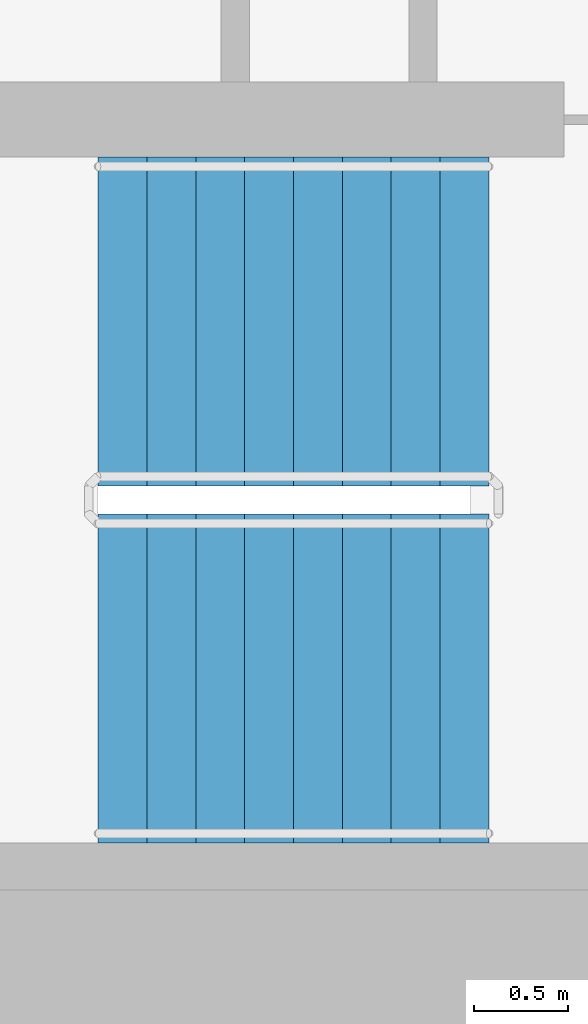
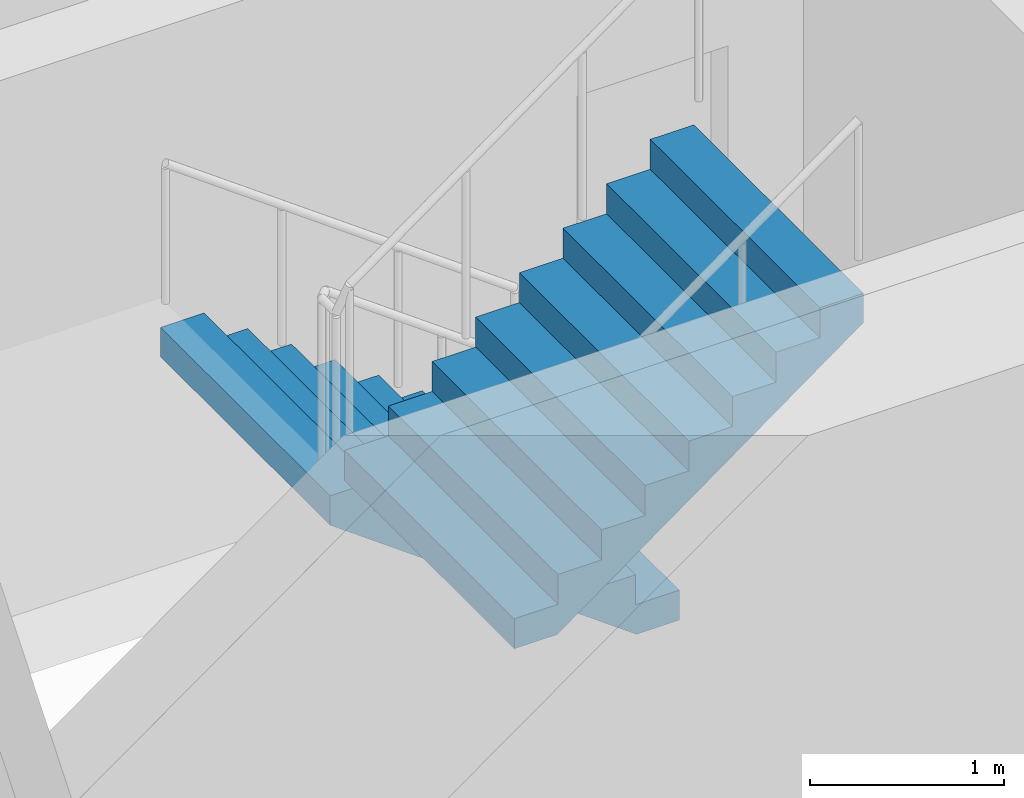
# One storey, part 16 of 22: 2 stair flights, 1 element without a shape of its own.
"""IFC4 building model written with IfcOpenShell, lengths in metres."""

import ifcopenshell
import ifcopenshell.guid

model = None  # the IFC model being written
_history = None  # IfcOwnerHistory: only IFC2X3 demands one
_inside = {}  # id of a spatial element -> (the spatial element, [elements in it])
_under = {}  # id of a project, library or spatial element -> (it, [spatial elements below it])
_declared = {}  # id of a project -> (the project, [libraries it declares])
_typed = {}  # id of a type object -> (the type object, [elements of that type])
_made_of = {}  # id of a material, layer set ... -> (it, [elements and type objects made of it])


def new_model(schema):
    """Start an empty IFC model of exactly this schema.

    Asked for "IFC4X3", IfcOpenShell would pick the latest addendum, in which some entities
    have other attributes; the version numbers below select the first issue.
    IFC2X3 requires an IfcOwnerHistory on every rooted entity: one is made here for all.
    """
    global model, _history
    if schema == "IFC4X3":
        model = ifcopenshell.file(schema_version=(4, 3, 0, 0))
    else:
        model = ifcopenshell.file(schema=schema)
    _inside.clear()
    _under.clear()
    _declared.clear()
    _typed.clear()
    _made_of.clear()
    _history = None
    if model.schema == "IFC2X3":
        org = make("IfcOrganization", Name="unknown")
        user = make(
            "IfcPersonAndOrganization",
            ThePerson=make("IfcPerson", FamilyName="unknown"),
            TheOrganization=org,
        )
        app = make(
            "IfcApplication",
            ApplicationDeveloper=org,
            Version="unknown",
            ApplicationFullName="unknown",
            ApplicationIdentifier="unknown",
        )
        _history = make(
            "IfcOwnerHistory",
            OwningUser=user,
            OwningApplication=app,
            ChangeAction="ADDED",
            CreationDate=0,
        )
    return model


def make(cls, **values):
    """One entity of the class cls with the attributes given. An attribute that is None is left unset."""
    return model.create_entity(
        cls, **{name: value for name, value in values.items() if value is not None}
    )


def rooted(cls, **values):
    """An entity with a GlobalId (a new one), such as an element, a storey or a relation."""
    return make(cls, GlobalId=ifcopenshell.guid.new(), OwnerHistory=_history, **values)


def si_unit(unit_type, name, prefix=None):
    """IfcSIUnit, for example si_unit("LENGTHUNIT", "METRE", prefix="MILLI")."""
    return make("IfcSIUnit", UnitType=unit_type, Prefix=prefix, Name=name)


def assignment(units):
    """IfcUnitAssignment: the units of a project."""
    return None if units is None else make("IfcUnitAssignment", Units=units)


def point(xyz):
    """IfcCartesianPoint."""
    return None if xyz is None else make("IfcCartesianPoint", Coordinates=xyz)


def direction(xyz):
    """IfcDirection."""
    return None if xyz is None else make("IfcDirection", DirectionRatios=xyz)


def frame(location, z_axis=None, x_axis=None):
    """IfcAxis2Placement3D, a coordinate frame: its origin and axes. An axis left out is left unset."""
    return make(
        "IfcAxis2Placement3D",
        Location=point(location),
        Axis=direction(z_axis),
        RefDirection=direction(x_axis),
    )


def origin():
    """The frame at (0, 0, 0) with its axes left unset."""
    return frame((0.0, 0.0, 0.0))


def place(relative_to, where):
    """IfcLocalPlacement: puts the frame where relative to a parent placement (None: the world)."""
    return make(
        "IfcLocalPlacement", PlacementRelTo=relative_to, RelativePlacement=where
    )


def context(
    kind, dimensions, precision=None, world=None, true_north=None, identifier=None
):
    """IfcGeometricRepresentationContext, for example the 3D "Model" context."""
    return make(
        "IfcGeometricRepresentationContext",
        ContextIdentifier=identifier,
        ContextType=kind,
        CoordinateSpaceDimension=dimensions,
        Precision=precision,
        WorldCoordinateSystem=world,
        TrueNorth=true_north,
    )


def subcontext(parent, identifier, kind, view, scale=None):
    """IfcGeometricRepresentationSubContext, for example "Body" below "Model"."""
    return make(
        "IfcGeometricRepresentationSubContext",
        ContextIdentifier=identifier,
        ContextType=kind,
        ParentContext=parent,
        TargetScale=scale,
        TargetView=view,
    )


def project(units=None, contexts=None):
    """IfcProject with its units and contexts."""
    return rooted(
        "IfcProject",
        Name="project",
        RepresentationContexts=contexts,
        UnitsInContext=assignment(units),
    )


def spatial(cls, under=None, at=None, **own):
    """A site, building, storey or space (cls), placed at a placement, below another one or the project."""
    s = rooted(cls, ObjectPlacement=at, **own)
    if under is not None:
        _under.setdefault(under.id(), (under, []))[1].append(s)
    return s


def faces_of(points, faces, orient=None, outer=None):
    """IfcFace entities. A face is a list of loops; a loop is a list of indices into points, from 0.

    orient and outer hold one flag for each loop. By default every Orientation is true, the
    first loop of a face is its IfcFaceOuterBound and the others are IfcFaceBound.
    """
    made = []
    for i, loops in enumerate(faces):
        bounds = []
        for j, loop in enumerate(loops):
            is_outer = j == 0 if outer is None else outer[i][j]
            bounds.append(
                make(
                    "IfcFaceOuterBound" if is_outer else "IfcFaceBound",
                    Bound=make("IfcPolyLoop", Polygon=[points[k] for k in loop]),
                    Orientation=True if orient is None else orient[i][j],
                )
            )
        made.append(make("IfcFace", Bounds=bounds))
    return made


def faceted_brep(points, faces, orient=None, outer=None, voids=None):
    """IfcFacetedBrep: a solid bounded by flat faces; with voids (closed shells), ...WithVoids."""
    shared = [point(p) for p in points]
    hull = make("IfcClosedShell", CfsFaces=faces_of(shared, faces, orient, outer))
    if voids is None:
        return make("IfcFacetedBrep", Outer=hull)
    return make(
        "IfcFacetedBrepWithVoids",
        Outer=hull,
        Voids=[
            make(cls, CfsFaces=faces_of(shared, fs, o, b)) for cls, fs, o, b in voids
        ],
    )


def shape(context_of_items, identifier, shape_type, items):
    """IfcShapeRepresentation: the items that make up one representation, for example the "Body"."""
    return make(
        "IfcShapeRepresentation",
        ContextOfItems=context_of_items,
        RepresentationIdentifier=identifier,
        RepresentationType=shape_type,
        Items=items,
    )


def material(Name=None, Category=None):
    """IfcMaterial."""
    return make("IfcMaterial", Name=Name, Category=Category)


def made_of(thing, what):
    """Note that an element or type object is made of a material, layer set ...; save() writes the relation."""
    if what is not None:
        _made_of.setdefault(what.id(), (what, []))[1].append(thing)
    return thing


def type_object(cls, material=None, **own):
    """A type object (cls), such as IfcWallType, which elements share."""
    return made_of(rooted(cls, **own), material)


def element(
    cls,
    number,
    at=None,
    inside=None,
    cuts=None,
    type_object=None,
    material=None,
    context=None,
    identifier="Body",
    shape_type=None,
    held_by="IfcProductDefinitionShape",
    body=None,
    shapes=None,
    **own,
):
    """One element of the class cls, such as IfcWall. Its Tag is "e" and its number.

    at: its placement. inside: the storey or other place that contains it. cuts: it is an
    opening in that element (IfcRelVoidsElement). A single representation is given by context,
    identifier, shape_type and body (its items); several are given by shapes. held_by: the class
    of the entity that holds the representations. save() writes the other relations.
    """
    e = rooted(cls, Tag="e%d" % number, ObjectPlacement=at, **own)
    if body is not None:
        shapes = [shape(context, identifier, shape_type, body)]
    if shapes is not None:
        e.Representation = make(held_by, Representations=shapes)
    if inside is not None:
        _inside.setdefault(inside.id(), (inside, []))[1].append(e)
    if cuts is not None:
        rooted(
            "IfcRelVoidsElement", RelatingBuildingElement=cuts, RelatedOpeningElement=e
        )
    if type_object is not None:
        _typed.setdefault(type_object.id(), (type_object, []))[1].append(e)
    return made_of(e, material)


def aggregate(whole, parts):
    """IfcRelAggregates: a whole, such as a stair, and the parts it consists of."""
    return rooted("IfcRelAggregates", RelatingObject=whole, RelatedObjects=parts)


def save(model, path):
    """Write the relations noted so far, then the file.

    IfcRelAggregates (storeys below a building ...), IfcRelContainedInSpatialStructure (elements
    in a storey), IfcRelDefinesByType, IfcRelAssociatesMaterial and IfcRelDeclares: one each for
    every whole, place, type object, material and project.
    """
    for whole, parts in _under.values():
        aggregate(whole, parts)
    for where, things in _inside.values():
        rooted(
            "IfcRelContainedInSpatialStructure",
            RelatedElements=things,
            RelatingStructure=where,
        )
    for kind, things in _typed.values():
        rooted("IfcRelDefinesByType", RelatedObjects=things, RelatingType=kind)
    for what, things in _made_of.values():
        rooted("IfcRelAssociatesMaterial", RelatedObjects=things, RelatingMaterial=what)
    for by, libraries in _declared.values():
        rooted("IfcRelDeclares", RelatingContext=by, RelatedDefinitions=libraries)
    model.write(path)


model = new_model("IFC4")

# Units and contexts
model_context = context("Model", 3, precision=1e-05, world=origin(), true_north=direction((0.0, 1.0)))
body_context = subcontext(model_context, "Body", "Model", "MODEL_VIEW")
ifc_project = project(units=[si_unit("LENGTHUNIT", "METRE"), si_unit("AREAUNIT", "SQUARE_METRE"), si_unit("VOLUMEUNIT", "CUBIC_METRE"), si_unit("PLANEANGLEUNIT", "RADIAN"), si_unit("MASSUNIT", "GRAM", prefix="KILO")], contexts=[model_context])

# Site, building, storey
site_placement = place(None, origin())
site = spatial("IfcSite", under=ifc_project, at=site_placement, CompositionType="ELEMENT")
building_placement = place(site_placement, origin())
building = spatial("IfcBuilding", under=site, at=building_placement, Name="Ipe Terrace Towers", CompositionType="ELEMENT")
storey_placement = place(building_placement, frame((0.0, 0.0, 110.60009765625)))
storey = spatial("IfcBuildingStorey", under=building, at=storey_placement, Name="L30", CompositionType="ELEMENT", Elevation=110.60009765625)

# Stair, stair flights
ifc_material_1 = material(Name="Concrete C30/37", Category="concrete")
stair_type = type_object("IfcStairType", Name="Protected exit stair", PredefinedType="HALF_TURN_STAIR", material=ifc_material_1)
stair_placement = place(storey_placement, origin())
stair = element("IfcStair", 1, at=stair_placement, inside=storey, type_object=stair_type, Name="L30 Exit stair T1-C2", PredefinedType="HALF_TURN_STAIR")
ifc_material_2 = material(Name="Concrete C30/37", Category="concrete")
stair_flight_type = type_object("IfcStairFlightType", Name="Exit stair flight 1750", PredefinedType="STRAIGHT", material=ifc_material_2)
stair_flight_1_placement = place(storey_placement, frame((-45.699951171875, -2.77490234375, 0.0), z_axis=(0.0, 0.0, 1.0), x_axis=(-1.0, 0.0, 0.0)))
stair_flight_1 = element("IfcStairFlight", 2, at=stair_flight_1_placement, type_object=stair_flight_type, Name="T1-ST2 flight 1", NumberOfRisers=9, NumberOfTreads=8, PredefinedType="STRAIGHT", RiserHeight=0.188888889, TreadLength=0.26, context=body_context, shape_type="Brep", body=[
    faceted_brep([(0.255126953125, -0.875, 0.0), (2.080078125, -0.875, 1.325927734375), (2.080078125, -0.875, 1.51123046875), (1.820068359375, -0.875, 1.51123046875), (1.820068359375, -0.875, 1.322265625), (1.56005859375, -0.875, 1.322265625), (1.56005859375, -0.875, 1.13330078125), (1.300048828125, -0.875, 1.13330078125), (1.300048828125, -0.875, 0.9443359375), (1.0400390625, -0.875, 0.9443359375), (1.0400390625, -0.875, 0.755615234375), (0.780029296875, -0.875, 0.755615234375), (0.780029296875, -0.875, 0.566650390625), (0.52001953125, -0.875, 0.566650390625), (0.52001953125, -0.875, 0.377685546875), (0.260009765625, -0.875, 0.377685546875), (0.260009765625, -0.875, 0.18896484375), (0.0, -0.875, 0.18896484375), (0.0, -0.875, 0.0), (0.0, 0.875, 0.0), (0.0, 0.875, 0.18896484375), (0.260009765625, 0.875, 0.18896484375), (0.260009765625, 0.875, 0.377685546875), (0.52001953125, 0.875, 0.377685546875), (0.52001953125, 0.875, 0.566650390625), (0.780029296875, 0.875, 0.566650390625), (0.780029296875, 0.875, 0.755615234375), (1.0400390625, 0.875, 0.755615234375), (1.0400390625, 0.875, 0.9443359375), (1.300048828125, 0.875, 0.9443359375), (1.300048828125, 0.875, 1.13330078125), (1.56005859375, 0.875, 1.13330078125), (1.56005859375, 0.875, 1.322265625), (1.820068359375, 0.875, 1.322265625), (1.820068359375, 0.875, 1.51123046875), (2.080078125, 0.875, 1.51123046875), (2.080078125, 0.875, 1.325927734375), (0.255126953125, 0.875, 0.0), (0.0, -0.300048828125, 0.18896484375), (0.0, -0.1201171875, 0.18896484375), (0.0, -0.06005859375, 0.18896484375), (0.0, -0.030029296875, 0.18896484375), (0.0, -0.010009765625, 0.18896484375), (0.0, 0.0, 0.18896484375), (0.0, 0.010009765625, 0.18896484375), (0.0, 0.030029296875, 0.18896484375), (0.0, 0.06005859375, 0.18896484375), (0.0, 0.1201171875, 0.18896484375), (0.0, 0.300048828125, 0.18896484375), (0.0, 0.300048828125, 0.0), (0.0, 0.1201171875, 0.0), (0.0, 0.06005859375, 0.0), (0.0, 0.030029296875, 0.0), (0.0, 0.010009765625, 0.0), (0.0, 0.0, 0.0), (0.0, -0.010009765625, 0.0), (0.0, -0.030029296875, 0.0), (0.0, -0.06005859375, 0.0), (0.0, -0.1201171875, 0.0), (0.0, -0.300048828125, 0.0), (0.260009765625, -0.300048828125, 0.18896484375), (0.260009765625, -0.1201171875, 0.18896484375), (0.260009765625, -0.06005859375, 0.18896484375), (0.260009765625, -0.030029296875, 0.18896484375), (0.260009765625, -0.010009765625, 0.18896484375), (0.260009765625, 0.0, 0.18896484375), (0.260009765625, 0.010009765625, 0.18896484375), (0.260009765625, 0.030029296875, 0.18896484375), (0.260009765625, 0.06005859375, 0.18896484375), (0.260009765625, 0.1201171875, 0.18896484375), (0.260009765625, 0.300048828125, 0.18896484375), (0.260009765625, -0.300048828125, 0.377685546875), (0.260009765625, -0.1201171875, 0.377685546875), (0.260009765625, -0.06005859375, 0.377685546875), (0.260009765625, -0.030029296875, 0.377685546875), (0.260009765625, -0.010009765625, 0.377685546875), (0.260009765625, 0.0, 0.377685546875), (0.260009765625, 0.010009765625, 0.377685546875), (0.260009765625, 0.030029296875, 0.377685546875), (0.260009765625, 0.06005859375, 0.377685546875), (0.260009765625, 0.1201171875, 0.377685546875), (0.260009765625, 0.300048828125, 0.377685546875), (0.52001953125, -0.300048828125, 0.377685546875), (0.52001953125, -0.1201171875, 0.377685546875), (0.52001953125, -0.06005859375, 0.377685546875), (0.52001953125, -0.030029296875, 0.377685546875), (0.52001953125, -0.010009765625, 0.377685546875), (0.52001953125, 0.0, 0.377685546875), (0.52001953125, 0.010009765625, 0.377685546875), (0.52001953125, 0.030029296875, 0.377685546875), (0.52001953125, 0.06005859375, 0.377685546875), (0.52001953125, 0.1201171875, 0.377685546875), (0.52001953125, 0.300048828125, 0.377685546875), (0.52001953125, -0.300048828125, 0.566650390625), (0.52001953125, -0.1201171875, 0.566650390625), (0.52001953125, -0.06005859375, 0.566650390625), (0.52001953125, -0.030029296875, 0.566650390625), (0.52001953125, -0.010009765625, 0.566650390625), (0.52001953125, 0.0, 0.566650390625), (0.52001953125, 0.010009765625, 0.566650390625), (0.52001953125, 0.030029296875, 0.566650390625), (0.52001953125, 0.06005859375, 0.566650390625), (0.52001953125, 0.1201171875, 0.566650390625), (0.52001953125, 0.300048828125, 0.566650390625), (0.780029296875, -0.300048828125, 0.566650390625), (0.780029296875, -0.1201171875, 0.566650390625), (0.780029296875, -0.06005859375, 0.566650390625), (0.780029296875, -0.030029296875, 0.566650390625), (0.780029296875, -0.010009765625, 0.566650390625), (0.780029296875, 0.0, 0.566650390625), (0.780029296875, 0.010009765625, 0.566650390625), (0.780029296875, 0.030029296875, 0.566650390625), (0.780029296875, 0.06005859375, 0.566650390625), (0.780029296875, 0.1201171875, 0.566650390625), (0.780029296875, 0.300048828125, 0.566650390625), (0.780029296875, -0.300048828125, 0.755615234375), (0.780029296875, -0.1201171875, 0.755615234375), (0.780029296875, -0.06005859375, 0.755615234375), (0.780029296875, -0.030029296875, 0.755615234375), (0.780029296875, -0.010009765625, 0.755615234375), (0.780029296875, 0.0, 0.755615234375), (0.780029296875, 0.010009765625, 0.755615234375), (0.780029296875, 0.030029296875, 0.755615234375), (0.780029296875, 0.06005859375, 0.755615234375), (0.780029296875, 0.1201171875, 0.755615234375), (0.780029296875, 0.300048828125, 0.755615234375), (1.0400390625, -0.300048828125, 0.755615234375), (1.0400390625, -0.1201171875, 0.755615234375), (1.0400390625, -0.06005859375, 0.755615234375), (1.0400390625, -0.030029296875, 0.755615234375), (1.0400390625, -0.010009765625, 0.755615234375), (1.0400390625, 0.0, 0.755615234375), (1.0400390625, 0.010009765625, 0.755615234375), (1.0400390625, 0.030029296875, 0.755615234375), (1.0400390625, 0.06005859375, 0.755615234375), (1.0400390625, 0.1201171875, 0.755615234375), (1.0400390625, 0.300048828125, 0.755615234375), (1.0400390625, -0.300048828125, 0.9443359375), (1.0400390625, -0.1201171875, 0.9443359375), (1.0400390625, -0.06005859375, 0.9443359375), (1.0400390625, -0.030029296875, 0.9443359375), (1.0400390625, -0.010009765625, 0.9443359375), (1.0400390625, 0.0, 0.9443359375), (1.0400390625, 0.010009765625, 0.9443359375), (1.0400390625, 0.030029296875, 0.9443359375), (1.0400390625, 0.06005859375, 0.9443359375), (1.0400390625, 0.1201171875, 0.9443359375), (1.0400390625, 0.300048828125, 0.9443359375), (1.300048828125, -0.300048828125, 0.9443359375), (1.300048828125, -0.1201171875, 0.9443359375), (1.300048828125, -0.06005859375, 0.9443359375), (1.300048828125, -0.030029296875, 0.9443359375), (1.300048828125, -0.010009765625, 0.9443359375), (1.300048828125, 0.0, 0.9443359375), (1.300048828125, 0.010009765625, 0.9443359375), (1.300048828125, 0.030029296875, 0.9443359375), (1.300048828125, 0.06005859375, 0.9443359375), (1.300048828125, 0.1201171875, 0.9443359375), (1.300048828125, 0.300048828125, 0.9443359375), (1.300048828125, -0.300048828125, 1.13330078125), (1.300048828125, -0.1201171875, 1.13330078125), (1.300048828125, -0.06005859375, 1.13330078125), (1.300048828125, -0.030029296875, 1.13330078125), (1.300048828125, -0.010009765625, 1.13330078125), (1.300048828125, 0.0, 1.13330078125), (1.300048828125, 0.010009765625, 1.13330078125), (1.300048828125, 0.030029296875, 1.13330078125), (1.300048828125, 0.06005859375, 1.13330078125), (1.300048828125, 0.1201171875, 1.13330078125), (1.300048828125, 0.300048828125, 1.13330078125), (1.56005859375, -0.300048828125, 1.13330078125), (1.56005859375, -0.1201171875, 1.13330078125), (1.56005859375, -0.06005859375, 1.13330078125), (1.56005859375, -0.030029296875, 1.13330078125), (1.56005859375, -0.010009765625, 1.13330078125), (1.56005859375, 0.0, 1.13330078125), (1.56005859375, 0.010009765625, 1.13330078125), (1.56005859375, 0.030029296875, 1.13330078125), (1.56005859375, 0.06005859375, 1.13330078125), (1.56005859375, 0.1201171875, 1.13330078125), (1.56005859375, 0.300048828125, 1.13330078125), (1.56005859375, -0.300048828125, 1.322265625), (1.56005859375, -0.1201171875, 1.322265625), (1.56005859375, -0.06005859375, 1.322265625), (1.56005859375, -0.030029296875, 1.322265625), (1.56005859375, -0.010009765625, 1.322265625), (1.56005859375, 0.0, 1.322265625), (1.56005859375, 0.010009765625, 1.322265625), (1.56005859375, 0.030029296875, 1.322265625), (1.56005859375, 0.06005859375, 1.322265625), (1.56005859375, 0.1201171875, 1.322265625), (1.56005859375, 0.300048828125, 1.322265625), (1.820068359375, -0.300048828125, 1.322265625), (1.820068359375, -0.1201171875, 1.322265625), (1.820068359375, -0.06005859375, 1.322265625), (1.820068359375, -0.030029296875, 1.322265625), (1.820068359375, -0.010009765625, 1.322265625), (1.820068359375, 0.0, 1.322265625), (1.820068359375, 0.010009765625, 1.322265625), (1.820068359375, 0.030029296875, 1.322265625), (1.820068359375, 0.06005859375, 1.322265625), (1.820068359375, 0.1201171875, 1.322265625), (1.820068359375, 0.300048828125, 1.322265625), (1.820068359375, -0.300048828125, 1.51123046875), (1.820068359375, -0.1201171875, 1.51123046875), (1.820068359375, -0.06005859375, 1.51123046875), (1.820068359375, -0.030029296875, 1.51123046875), (1.820068359375, -0.010009765625, 1.51123046875), (1.820068359375, 0.0, 1.51123046875), (1.820068359375, 0.010009765625, 1.51123046875), (1.820068359375, 0.030029296875, 1.51123046875), (1.820068359375, 0.06005859375, 1.51123046875), (1.820068359375, 0.1201171875, 1.51123046875), (1.820068359375, 0.300048828125, 1.51123046875), (2.080078125, -0.300048828125, 1.51123046875), (2.080078125, -0.1201171875, 1.51123046875), (2.080078125, -0.06005859375, 1.51123046875), (2.080078125, -0.030029296875, 1.51123046875), (2.080078125, -0.010009765625, 1.51123046875), (2.080078125, 0.0, 1.51123046875), (2.080078125, 0.010009765625, 1.51123046875), (2.080078125, 0.030029296875, 1.51123046875), (2.080078125, 0.06005859375, 1.51123046875), (2.080078125, 0.1201171875, 1.51123046875), (2.080078125, 0.300048828125, 1.51123046875), (2.080078125, -0.300048828125, 1.325927734375), (2.080078125, -0.1201171875, 1.325927734375), (2.080078125, -0.06005859375, 1.325927734375), (2.080078125, -0.030029296875, 1.325927734375), (2.080078125, -0.010009765625, 1.325927734375), (2.080078125, 0.0, 1.325927734375), (2.080078125, 0.010009765625, 1.325927734375), (2.080078125, 0.030029296875, 1.325927734375), (2.080078125, 0.06005859375, 1.325927734375), (2.080078125, 0.1201171875, 1.325927734375), (2.080078125, 0.300048828125, 1.325927734375), (0.255126953125, -0.300048828125, 0.0), (0.255126953125, -0.1201171875, 0.0), (0.255126953125, -0.06005859375, 0.0), (0.255126953125, -0.030029296875, 0.0), (0.255126953125, -0.010009765625, 0.0), (0.255126953125, 0.0, 0.0), (0.255126953125, 0.010009765625, 0.0), (0.255126953125, 0.030029296875, 0.0), (0.255126953125, 0.06005859375, 0.0), (0.255126953125, 0.1201171875, 0.0), (0.255126953125, 0.300048828125, 0.0)], [[[0, 1, 2, 3, 4, 5, 6, 7, 8, 9, 10, 11, 12, 13, 14, 15, 16, 17, 18]], [[19, 20, 21, 22, 23, 24, 25, 26, 27, 28, 29, 30, 31, 32, 33, 34, 35, 36, 37]], [[17, 38, 39, 40, 41, 42, 43, 44, 45, 46, 47, 48, 20, 19, 49, 50, 51, 52, 53, 54, 55, 56, 57, 58, 59, 18]], [[16, 60, 61, 62, 63, 64, 65, 66, 67, 68, 69, 70, 21, 20, 48, 47, 46, 45, 44, 43, 42, 41, 40, 39, 38, 17]], [[15, 71, 72, 73, 74, 75, 76, 77, 78, 79, 80, 81, 22, 21, 70, 69, 68, 67, 66, 65, 64, 63, 62, 61, 60, 16]], [[14, 82, 83, 84, 85, 86, 87, 88, 89, 90, 91, 92, 23, 22, 81, 80, 79, 78, 77, 76, 75, 74, 73, 72, 71, 15]], [[13, 93, 94, 95, 96, 97, 98, 99, 100, 101, 102, 103, 24, 23, 92, 91, 90, 89, 88, 87, 86, 85, 84, 83, 82, 14]], [[12, 104, 105, 106, 107, 108, 109, 110, 111, 112, 113, 114, 25, 24, 103, 102, 101, 100, 99, 98, 97, 96, 95, 94, 93, 13]], [[11, 115, 116, 117, 118, 119, 120, 121, 122, 123, 124, 125, 26, 25, 114, 113, 112, 111, 110, 109, 108, 107, 106, 105, 104, 12]], [[10, 126, 127, 128, 129, 130, 131, 132, 133, 134, 135, 136, 27, 26, 125, 124, 123, 122, 121, 120, 119, 118, 117, 116, 115, 11]], [[9, 137, 138, 139, 140, 141, 142, 143, 144, 145, 146, 147, 28, 27, 136, 135, 134, 133, 132, 131, 130, 129, 128, 127, 126, 10]], [[8, 148, 149, 150, 151, 152, 153, 154, 155, 156, 157, 158, 29, 28, 147, 146, 145, 144, 143, 142, 141, 140, 139, 138, 137, 9]], [[7, 159, 160, 161, 162, 163, 164, 165, 166, 167, 168, 169, 30, 29, 158, 157, 156, 155, 154, 153, 152, 151, 150, 149, 148, 8]], [[6, 170, 171, 172, 173, 174, 175, 176, 177, 178, 179, 180, 31, 30, 169, 168, 167, 166, 165, 164, 163, 162, 161, 160, 159, 7]], [[5, 181, 182, 183, 184, 185, 186, 187, 188, 189, 190, 191, 32, 31, 180, 179, 178, 177, 176, 175, 174, 173, 172, 171, 170, 6]], [[4, 192, 193, 194, 195, 196, 197, 198, 199, 200, 201, 202, 33, 32, 191, 190, 189, 188, 187, 186, 185, 184, 183, 182, 181, 5]], [[3, 203, 204, 205, 206, 207, 208, 209, 210, 211, 212, 213, 34, 33, 202, 201, 200, 199, 198, 197, 196, 195, 194, 193, 192, 4]], [[2, 214, 215, 216, 217, 218, 219, 220, 221, 222, 223, 224, 35, 34, 213, 212, 211, 210, 209, 208, 207, 206, 205, 204, 203, 3]], [[1, 225, 226, 227, 228, 229, 230, 231, 232, 233, 234, 235, 36, 35, 224, 223, 222, 221, 220, 219, 218, 217, 216, 215, 214, 2]], [[0, 236, 237, 238, 239, 240, 241, 242, 243, 244, 245, 246, 37, 36, 235, 234, 233, 232, 231, 230, 229, 228, 227, 226, 225, 1]], [[18, 59, 58, 57, 56, 55, 54, 53, 52, 51, 50, 49, 19, 37, 246, 245, 244, 243, 242, 241, 240, 239, 238, 237, 236, 0]]]),
])
stair_flight_2_placement = place(storey_placement, frame((-47.780029296875, -4.675048828125, 1.699951171875), z_axis=(0.0, 0.0, 1.0), x_axis=(1.0, 0.0, 0.0)))
stair_flight_2 = element("IfcStairFlight", 3, at=stair_flight_2_placement, type_object=stair_flight_type, Name="T1-ST2 flight 2", NumberOfRisers=9, NumberOfTreads=8, PredefinedType="STRAIGHT", RiserHeight=0.188888889, TreadLength=0.26, context=body_context, shape_type="Brep", body=[
    faceted_brep([(0.255126953125, -0.875, 0.0), (2.080078125, -0.875, 1.325927734375), (2.080078125, -0.875, 1.51123046875), (1.820068359375, -0.875, 1.51123046875), (1.820068359375, -0.875, 1.322265625), (1.56005859375, -0.875, 1.322265625), (1.56005859375, -0.875, 1.13330078125), (1.300048828125, -0.875, 1.13330078125), (1.300048828125, -0.875, 0.9443359375), (1.0400390625, -0.875, 0.9443359375), (1.0400390625, -0.875, 0.755615234375), (0.780029296875, -0.875, 0.755615234375), (0.780029296875, -0.875, 0.566650390625), (0.52001953125, -0.875, 0.566650390625), (0.52001953125, -0.875, 0.377685546875), (0.260009765625, -0.875, 0.377685546875), (0.260009765625, -0.875, 0.18896484375), (0.0, -0.875, 0.18896484375), (0.0, -0.875, 0.0), (0.0, 0.875, 0.0), (0.0, 0.875, 0.18896484375), (0.260009765625, 0.875, 0.18896484375), (0.260009765625, 0.875, 0.377685546875), (0.52001953125, 0.875, 0.377685546875), (0.52001953125, 0.875, 0.566650390625), (0.780029296875, 0.875, 0.566650390625), (0.780029296875, 0.875, 0.755615234375), (1.0400390625, 0.875, 0.755615234375), (1.0400390625, 0.875, 0.9443359375), (1.300048828125, 0.875, 0.9443359375), (1.300048828125, 0.875, 1.13330078125), (1.56005859375, 0.875, 1.13330078125), (1.56005859375, 0.875, 1.322265625), (1.820068359375, 0.875, 1.322265625), (1.820068359375, 0.875, 1.51123046875), (2.080078125, 0.875, 1.51123046875), (2.080078125, 0.875, 1.325927734375), (0.255126953125, 0.875, 0.0), (0.0, -0.300048828125, 0.18896484375), (0.0, -0.1201171875, 0.18896484375), (0.0, -0.06005859375, 0.18896484375), (0.0, -0.030029296875, 0.18896484375), (0.0, -0.010009765625, 0.18896484375), (0.0, 0.0, 0.18896484375), (0.0, 0.010009765625, 0.18896484375), (0.0, 0.030029296875, 0.18896484375), (0.0, 0.06005859375, 0.18896484375), (0.0, 0.1201171875, 0.18896484375), (0.0, 0.300048828125, 0.18896484375), (0.0, 0.300048828125, 0.0), (0.0, 0.1201171875, 0.0), (0.0, 0.06005859375, 0.0), (0.0, 0.030029296875, 0.0), (0.0, 0.010009765625, 0.0), (0.0, 0.0, 0.0), (0.0, -0.010009765625, 0.0), (0.0, -0.030029296875, 0.0), (0.0, -0.06005859375, 0.0), (0.0, -0.1201171875, 0.0), (0.0, -0.300048828125, 0.0), (0.260009765625, -0.300048828125, 0.18896484375), (0.260009765625, -0.1201171875, 0.18896484375), (0.260009765625, -0.06005859375, 0.18896484375), (0.260009765625, -0.030029296875, 0.18896484375), (0.260009765625, -0.010009765625, 0.18896484375), (0.260009765625, 0.0, 0.18896484375), (0.260009765625, 0.010009765625, 0.18896484375), (0.260009765625, 0.030029296875, 0.18896484375), (0.260009765625, 0.06005859375, 0.18896484375), (0.260009765625, 0.1201171875, 0.18896484375), (0.260009765625, 0.300048828125, 0.18896484375), (0.260009765625, -0.300048828125, 0.377685546875), (0.260009765625, -0.1201171875, 0.377685546875), (0.260009765625, -0.06005859375, 0.377685546875), (0.260009765625, -0.030029296875, 0.377685546875), (0.260009765625, -0.010009765625, 0.377685546875), (0.260009765625, 0.0, 0.377685546875), (0.260009765625, 0.010009765625, 0.377685546875), (0.260009765625, 0.030029296875, 0.377685546875), (0.260009765625, 0.06005859375, 0.377685546875), (0.260009765625, 0.1201171875, 0.377685546875), (0.260009765625, 0.300048828125, 0.377685546875), (0.52001953125, -0.300048828125, 0.377685546875), (0.52001953125, -0.1201171875, 0.377685546875), (0.52001953125, -0.06005859375, 0.377685546875), (0.52001953125, -0.030029296875, 0.377685546875), (0.52001953125, -0.010009765625, 0.377685546875), (0.52001953125, 0.0, 0.377685546875), (0.52001953125, 0.010009765625, 0.377685546875), (0.52001953125, 0.030029296875, 0.377685546875), (0.52001953125, 0.06005859375, 0.377685546875), (0.52001953125, 0.1201171875, 0.377685546875), (0.52001953125, 0.300048828125, 0.377685546875), (0.52001953125, -0.300048828125, 0.566650390625), (0.52001953125, -0.1201171875, 0.566650390625), (0.52001953125, -0.06005859375, 0.566650390625), (0.52001953125, -0.030029296875, 0.566650390625), (0.52001953125, -0.010009765625, 0.566650390625), (0.52001953125, 0.0, 0.566650390625), (0.52001953125, 0.010009765625, 0.566650390625), (0.52001953125, 0.030029296875, 0.566650390625), (0.52001953125, 0.06005859375, 0.566650390625), (0.52001953125, 0.1201171875, 0.566650390625), (0.52001953125, 0.300048828125, 0.566650390625), (0.780029296875, -0.300048828125, 0.566650390625), (0.780029296875, -0.1201171875, 0.566650390625), (0.780029296875, -0.06005859375, 0.566650390625), (0.780029296875, -0.030029296875, 0.566650390625), (0.780029296875, -0.010009765625, 0.566650390625), (0.780029296875, 0.0, 0.566650390625), (0.780029296875, 0.010009765625, 0.566650390625), (0.780029296875, 0.030029296875, 0.566650390625), (0.780029296875, 0.06005859375, 0.566650390625), (0.780029296875, 0.1201171875, 0.566650390625), (0.780029296875, 0.300048828125, 0.566650390625), (0.780029296875, -0.300048828125, 0.755615234375), (0.780029296875, -0.1201171875, 0.755615234375), (0.780029296875, -0.06005859375, 0.755615234375), (0.780029296875, -0.030029296875, 0.755615234375), (0.780029296875, -0.010009765625, 0.755615234375), (0.780029296875, 0.0, 0.755615234375), (0.780029296875, 0.010009765625, 0.755615234375), (0.780029296875, 0.030029296875, 0.755615234375), (0.780029296875, 0.06005859375, 0.755615234375), (0.780029296875, 0.1201171875, 0.755615234375), (0.780029296875, 0.300048828125, 0.755615234375), (1.0400390625, -0.300048828125, 0.755615234375), (1.0400390625, -0.1201171875, 0.755615234375), (1.0400390625, -0.06005859375, 0.755615234375), (1.0400390625, -0.030029296875, 0.755615234375), (1.0400390625, -0.010009765625, 0.755615234375), (1.0400390625, 0.0, 0.755615234375), (1.0400390625, 0.010009765625, 0.755615234375), (1.0400390625, 0.030029296875, 0.755615234375), (1.0400390625, 0.06005859375, 0.755615234375), (1.0400390625, 0.1201171875, 0.755615234375), (1.0400390625, 0.300048828125, 0.755615234375), (1.0400390625, -0.300048828125, 0.9443359375), (1.0400390625, -0.1201171875, 0.9443359375), (1.0400390625, -0.06005859375, 0.9443359375), (1.0400390625, -0.030029296875, 0.9443359375), (1.0400390625, -0.010009765625, 0.9443359375), (1.0400390625, 0.0, 0.9443359375), (1.0400390625, 0.010009765625, 0.9443359375), (1.0400390625, 0.030029296875, 0.9443359375), (1.0400390625, 0.06005859375, 0.9443359375), (1.0400390625, 0.1201171875, 0.9443359375), (1.0400390625, 0.300048828125, 0.9443359375), (1.300048828125, -0.300048828125, 0.9443359375), (1.300048828125, -0.1201171875, 0.9443359375), (1.300048828125, -0.06005859375, 0.9443359375), (1.300048828125, -0.030029296875, 0.9443359375), (1.300048828125, -0.010009765625, 0.9443359375), (1.300048828125, 0.0, 0.9443359375), (1.300048828125, 0.010009765625, 0.9443359375), (1.300048828125, 0.030029296875, 0.9443359375), (1.300048828125, 0.06005859375, 0.9443359375), (1.300048828125, 0.1201171875, 0.9443359375), (1.300048828125, 0.300048828125, 0.9443359375), (1.300048828125, -0.300048828125, 1.13330078125), (1.300048828125, -0.1201171875, 1.13330078125), (1.300048828125, -0.06005859375, 1.13330078125), (1.300048828125, -0.030029296875, 1.13330078125), (1.300048828125, -0.010009765625, 1.13330078125), (1.300048828125, 0.0, 1.13330078125), (1.300048828125, 0.010009765625, 1.13330078125), (1.300048828125, 0.030029296875, 1.13330078125), (1.300048828125, 0.06005859375, 1.13330078125), (1.300048828125, 0.1201171875, 1.13330078125), (1.300048828125, 0.300048828125, 1.13330078125), (1.56005859375, -0.300048828125, 1.13330078125), (1.56005859375, -0.1201171875, 1.13330078125), (1.56005859375, -0.06005859375, 1.13330078125), (1.56005859375, -0.030029296875, 1.13330078125), (1.56005859375, -0.010009765625, 1.13330078125), (1.56005859375, 0.0, 1.13330078125), (1.56005859375, 0.010009765625, 1.13330078125), (1.56005859375, 0.030029296875, 1.13330078125), (1.56005859375, 0.06005859375, 1.13330078125), (1.56005859375, 0.1201171875, 1.13330078125), (1.56005859375, 0.300048828125, 1.13330078125), (1.56005859375, -0.300048828125, 1.322265625), (1.56005859375, -0.1201171875, 1.322265625), (1.56005859375, -0.06005859375, 1.322265625), (1.56005859375, -0.030029296875, 1.322265625), (1.56005859375, -0.010009765625, 1.322265625), (1.56005859375, 0.0, 1.322265625), (1.56005859375, 0.010009765625, 1.322265625), (1.56005859375, 0.030029296875, 1.322265625), (1.56005859375, 0.06005859375, 1.322265625), (1.56005859375, 0.1201171875, 1.322265625), (1.56005859375, 0.300048828125, 1.322265625), (1.820068359375, -0.300048828125, 1.322265625), (1.820068359375, -0.1201171875, 1.322265625), (1.820068359375, -0.06005859375, 1.322265625), (1.820068359375, -0.030029296875, 1.322265625), (1.820068359375, -0.010009765625, 1.322265625), (1.820068359375, 0.0, 1.322265625), (1.820068359375, 0.010009765625, 1.322265625), (1.820068359375, 0.030029296875, 1.322265625), (1.820068359375, 0.06005859375, 1.322265625), (1.820068359375, 0.1201171875, 1.322265625), (1.820068359375, 0.300048828125, 1.322265625), (1.820068359375, -0.300048828125, 1.51123046875), (1.820068359375, -0.1201171875, 1.51123046875), (1.820068359375, -0.06005859375, 1.51123046875), (1.820068359375, -0.030029296875, 1.51123046875), (1.820068359375, -0.010009765625, 1.51123046875), (1.820068359375, 0.0, 1.51123046875), (1.820068359375, 0.010009765625, 1.51123046875), (1.820068359375, 0.030029296875, 1.51123046875), (1.820068359375, 0.06005859375, 1.51123046875), (1.820068359375, 0.1201171875, 1.51123046875), (1.820068359375, 0.300048828125, 1.51123046875), (2.080078125, -0.300048828125, 1.51123046875), (2.080078125, -0.1201171875, 1.51123046875), (2.080078125, -0.06005859375, 1.51123046875), (2.080078125, -0.030029296875, 1.51123046875), (2.080078125, -0.010009765625, 1.51123046875), (2.080078125, 0.0, 1.51123046875), (2.080078125, 0.010009765625, 1.51123046875), (2.080078125, 0.030029296875, 1.51123046875), (2.080078125, 0.06005859375, 1.51123046875), (2.080078125, 0.1201171875, 1.51123046875), (2.080078125, 0.300048828125, 1.51123046875), (2.080078125, -0.300048828125, 1.325927734375), (2.080078125, -0.1201171875, 1.325927734375), (2.080078125, -0.06005859375, 1.325927734375), (2.080078125, -0.030029296875, 1.325927734375), (2.080078125, -0.010009765625, 1.325927734375), (2.080078125, 0.0, 1.325927734375), (2.080078125, 0.010009765625, 1.325927734375), (2.080078125, 0.030029296875, 1.325927734375), (2.080078125, 0.06005859375, 1.325927734375), (2.080078125, 0.1201171875, 1.325927734375), (2.080078125, 0.300048828125, 1.325927734375), (0.255126953125, -0.300048828125, 0.0), (0.255126953125, -0.1201171875, 0.0), (0.255126953125, -0.06005859375, 0.0), (0.255126953125, -0.030029296875, 0.0), (0.255126953125, -0.010009765625, 0.0), (0.255126953125, 0.0, 0.0), (0.255126953125, 0.010009765625, 0.0), (0.255126953125, 0.030029296875, 0.0), (0.255126953125, 0.06005859375, 0.0), (0.255126953125, 0.1201171875, 0.0), (0.255126953125, 0.300048828125, 0.0)], [[[0, 1, 2, 3, 4, 5, 6, 7, 8, 9, 10, 11, 12, 13, 14, 15, 16, 17, 18]], [[19, 20, 21, 22, 23, 24, 25, 26, 27, 28, 29, 30, 31, 32, 33, 34, 35, 36, 37]], [[17, 38, 39, 40, 41, 42, 43, 44, 45, 46, 47, 48, 20, 19, 49, 50, 51, 52, 53, 54, 55, 56, 57, 58, 59, 18]], [[16, 60, 61, 62, 63, 64, 65, 66, 67, 68, 69, 70, 21, 20, 48, 47, 46, 45, 44, 43, 42, 41, 40, 39, 38, 17]], [[15, 71, 72, 73, 74, 75, 76, 77, 78, 79, 80, 81, 22, 21, 70, 69, 68, 67, 66, 65, 64, 63, 62, 61, 60, 16]], [[14, 82, 83, 84, 85, 86, 87, 88, 89, 90, 91, 92, 23, 22, 81, 80, 79, 78, 77, 76, 75, 74, 73, 72, 71, 15]], [[13, 93, 94, 95, 96, 97, 98, 99, 100, 101, 102, 103, 24, 23, 92, 91, 90, 89, 88, 87, 86, 85, 84, 83, 82, 14]], [[12, 104, 105, 106, 107, 108, 109, 110, 111, 112, 113, 114, 25, 24, 103, 102, 101, 100, 99, 98, 97, 96, 95, 94, 93, 13]], [[11, 115, 116, 117, 118, 119, 120, 121, 122, 123, 124, 125, 26, 25, 114, 113, 112, 111, 110, 109, 108, 107, 106, 105, 104, 12]], [[10, 126, 127, 128, 129, 130, 131, 132, 133, 134, 135, 136, 27, 26, 125, 124, 123, 122, 121, 120, 119, 118, 117, 116, 115, 11]], [[9, 137, 138, 139, 140, 141, 142, 143, 144, 145, 146, 147, 28, 27, 136, 135, 134, 133, 132, 131, 130, 129, 128, 127, 126, 10]], [[8, 148, 149, 150, 151, 152, 153, 154, 155, 156, 157, 158, 29, 28, 147, 146, 145, 144, 143, 142, 141, 140, 139, 138, 137, 9]], [[7, 159, 160, 161, 162, 163, 164, 165, 166, 167, 168, 169, 30, 29, 158, 157, 156, 155, 154, 153, 152, 151, 150, 149, 148, 8]], [[6, 170, 171, 172, 173, 174, 175, 176, 177, 178, 179, 180, 31, 30, 169, 168, 167, 166, 165, 164, 163, 162, 161, 160, 159, 7]], [[5, 181, 182, 183, 184, 185, 186, 187, 188, 189, 190, 191, 32, 31, 180, 179, 178, 177, 176, 175, 174, 173, 172, 171, 170, 6]], [[4, 192, 193, 194, 195, 196, 197, 198, 199, 200, 201, 202, 33, 32, 191, 190, 189, 188, 187, 186, 185, 184, 183, 182, 181, 5]], [[3, 203, 204, 205, 206, 207, 208, 209, 210, 211, 212, 213, 34, 33, 202, 201, 200, 199, 198, 197, 196, 195, 194, 193, 192, 4]], [[2, 214, 215, 216, 217, 218, 219, 220, 221, 222, 223, 224, 35, 34, 213, 212, 211, 210, 209, 208, 207, 206, 205, 204, 203, 3]], [[1, 225, 226, 227, 228, 229, 230, 231, 232, 233, 234, 235, 36, 35, 224, 223, 222, 221, 220, 219, 218, 217, 216, 215, 214, 2]], [[0, 236, 237, 238, 239, 240, 241, 242, 243, 244, 245, 246, 37, 36, 235, 234, 233, 232, 231, 230, 229, 228, 227, 226, 225, 1]], [[18, 59, 58, 57, 56, 55, 54, 53, 52, 51, 50, 49, 19, 37, 246, 245, 244, 243, 242, 241, 240, 239, 238, 237, 236, 0]]]),
])
aggregate(stair, [stair_flight_1, stair_flight_2])

save(model, "model.ifc")
